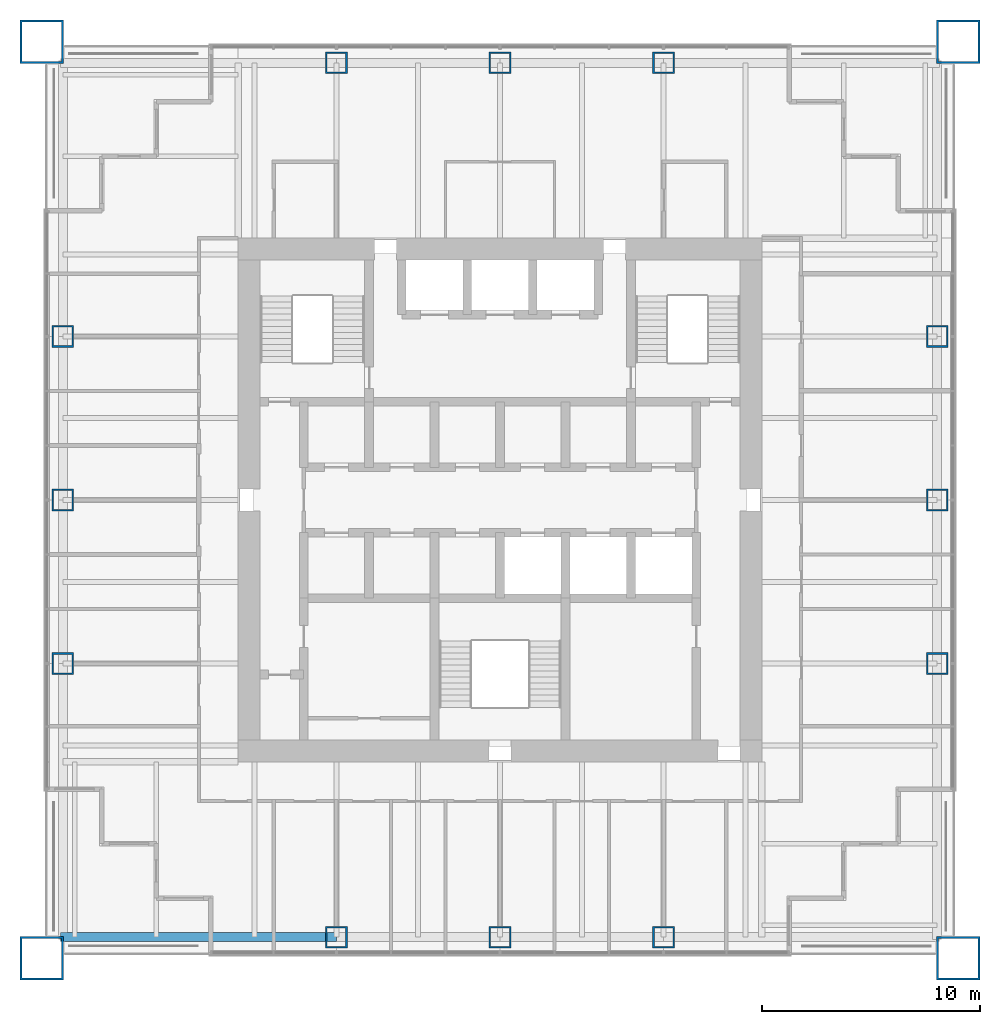
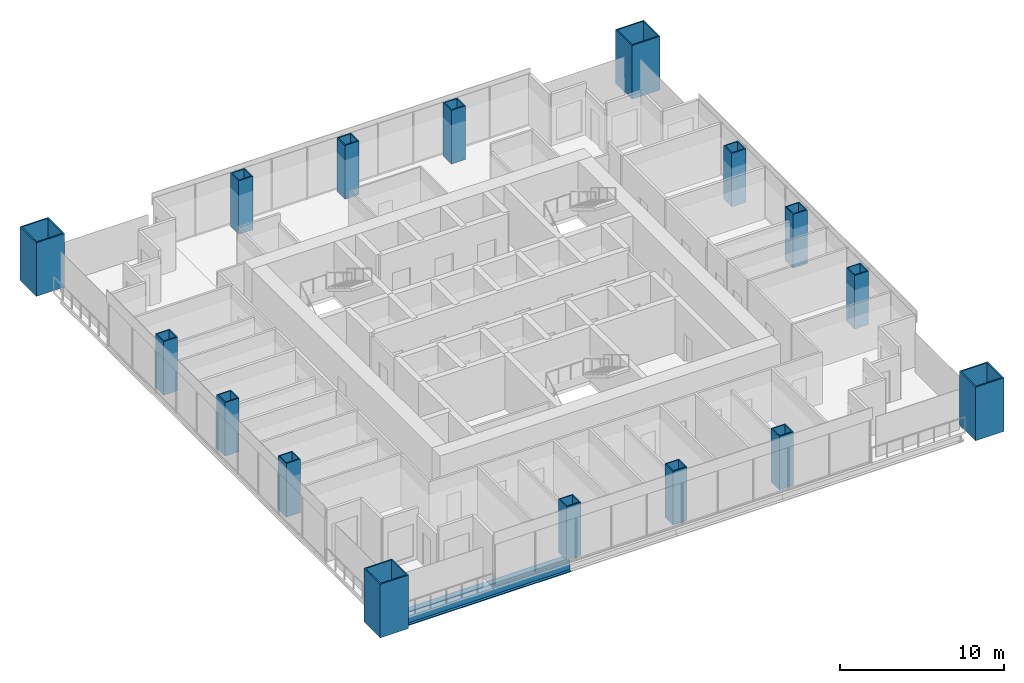
# One storey, part 1 of 15: 16 columns, 1 beam.
"""IFC4 building model written with IfcOpenShell, lengths in metres."""

from ifc_helpers import new_model, si_unit, direction, frame, origin, origin_2d, place, context, subcontext, project, spatial, hollow_rectangle, i_section, extrude, material, material_profile, profile_set, type_object, element, save


model = new_model("IFC4")

# Units and contexts
model_context = context("Model", 3, precision=1e-05, world=origin(), true_north=direction((0.0, 1.0)))
body_context = subcontext(model_context, "Body", "Model", "MODEL_VIEW")
ifc_project = project(units=[si_unit("LENGTHUNIT", "METRE"), si_unit("AREAUNIT", "SQUARE_METRE"), si_unit("VOLUMEUNIT", "CUBIC_METRE"), si_unit("PLANEANGLEUNIT", "RADIAN"), si_unit("MASSUNIT", "GRAM", prefix="KILO")], contexts=[model_context])

# Site, building, storey
site_placement = place(None, origin())
site = spatial("IfcSite", under=ifc_project, at=site_placement, CompositionType="ELEMENT")
building_placement = place(site_placement, origin())
building = spatial("IfcBuilding", under=site, at=building_placement, Name="Tarangal Relay Tower", CompositionType="ELEMENT")
storey_placement = place(building_placement, frame((0.0, 0.0, 299.89990234375)))
storey = spatial("IfcBuildingStorey", under=building, at=storey_placement, Name="L66", CompositionType="ELEMENT", Elevation=299.89990234375)

# Columns
ifc_material_1 = material(Name="Steel ASTM A572 Grade 50", Category="steel")
ifc_material_profile_1 = material_profile(ifc_material_1, hollow_rectangle(XDim=2.0, YDim=2.0, WallThickness=0.094970703125, at=origin_2d()), Name="BOX2000X2000X95")
ifc_profile_set_1 = profile_set([ifc_material_profile_1], Name="Steel ASTM A572 Grade 50")
column_type_1 = type_object("IfcColumnType", Name="Mega column BOX2000X2000X95", PredefinedType="COLUMN", material=ifc_profile_set_1)
for number, where, z_axis, x_axis, name in (
    (1, (21.0, 21.0, 0.0), (0.0, 0.0, 1.0), (1.0, 0.0, 0.0), "Mega column MC4 NE L66"),
    (2, (21.0, -21.0, 0.0), (0.0, 0.0, 1.0), (1.0, 0.0, 0.0), "Mega column MC4 SE L66"),
    (3, (-21.0, -21.0, 0.0), (0.0, 0.0, 1.0), (1.0, 0.0, 0.0), "Mega column MC4 SW L66"),
    (4, (-21.0, 21.0, 0.0), (0.0, 0.0, 1.0), (1.0, 0.0, 0.0), "Mega column MC4 NW L66"),
):
    element("IfcColumn", number, at=place(storey_placement, frame(where, z_axis=z_axis, x_axis=x_axis)), inside=storey, type_object=column_type_1, Name=name, PredefinedType="COLUMN", context=body_context, shape_type="SweptSolid", body=[
        extrude(hollow_rectangle(XDim=2.0, YDim=2.0, WallThickness=0.094970703125, at=origin_2d()), origin(), (0.0, 0.0, 1.0), 4.0),
    ])
ifc_material_profile_2 = material_profile(ifc_material_1, hollow_rectangle(XDim=1.0, YDim=1.0, WallThickness=0.074951171875, at=origin_2d()), Name="BOX1000X1000X75")
ifc_profile_set_2 = profile_set([ifc_material_profile_2], Name="Steel ASTM A572 Grade 50")
column_type_2 = type_object("IfcColumnType", Name="Perimeter column BOX1000X1000X75", PredefinedType="COLUMN", material=ifc_profile_set_2)
for number, where, z_axis, x_axis, name in (
    (5, (-7.5, 20.0400390625, 0.0), (0.0, 0.0, 1.0), (1.0, 0.0, 0.0), "Perimeter column PC5 N L66"),
    (6, (0.0, 20.0400390625, 0.0), (0.0, 0.0, 1.0), (1.0, 0.0, 0.0), "Perimeter column PC5 N L66"),
    (7, (7.5, 20.0400390625, 0.0), (0.0, 0.0, 1.0), (1.0, 0.0, 0.0), "Perimeter column PC5 N L66"),
    (8, (20.0400390625, 7.5, 0.0), (0.0, 0.0, 1.0), (1.0, 0.0, 0.0), "Perimeter column PC5 E L66"),
    (9, (20.0400390625, 0.0, 0.0), (0.0, 0.0, 1.0), (1.0, 0.0, 0.0), "Perimeter column PC5 E L66"),
    (10, (20.0400390625, -7.5, 0.0), (0.0, 0.0, 1.0), (1.0, 0.0, 0.0), "Perimeter column PC5 E L66"),
    (11, (7.5, -20.0400390625, 0.0), (0.0, 0.0, 1.0), (1.0, 0.0, 0.0), "Perimeter column PC5 S L66"),
    (12, (0.0, -20.0400390625, 0.0), (0.0, 0.0, 1.0), (1.0, 0.0, 0.0), "Perimeter column PC5 S L66"),
    (13, (-7.5, -20.0400390625, 0.0), (0.0, 0.0, 1.0), (1.0, 0.0, 0.0), "Perimeter column PC5 S L66"),
    (14, (-20.0400390625, -7.5, 0.0), (0.0, 0.0, 1.0), (1.0, 0.0, 0.0), "Perimeter column PC5 W L66"),
    (15, (-20.0400390625, 0.0, 0.0), (0.0, 0.0, 1.0), (1.0, 0.0, 0.0), "Perimeter column PC5 W L66"),
    (16, (-20.0400390625, 7.5, 0.0), (0.0, 0.0, 1.0), (1.0, 0.0, 0.0), "Perimeter column PC5 W L66"),
):
    element("IfcColumn", number, at=place(storey_placement, frame(where, z_axis=z_axis, x_axis=x_axis)), inside=storey, type_object=column_type_2, Name=name, PredefinedType="COLUMN", context=body_context, shape_type="SweptSolid", body=[
        extrude(hollow_rectangle(XDim=1.0, YDim=1.0, WallThickness=0.074951171875, at=origin_2d()), origin(), (0.0, 0.0, 1.0), 4.0),
    ])

# Beam
ifc_material_2 = material(Name="Steel ASTM A992", Category="steel")
ifc_material_profile_3 = material_profile(ifc_material_2, i_section(OverallWidth=0.41162109375, OverallDepth=1.049072265625, WebThickness=0.033935546875, FlangeThickness=0.059814453125, at=origin_2d()), Name="W40X431")
ifc_profile_set_3 = profile_set([ifc_material_profile_3], Name="Steel ASTM A992")
beam_type = type_object("IfcBeamType", Name="Edge girder W40X431", PredefinedType="SPANDREL", material=ifc_profile_set_3)
beam_placement = place(storey_placement, frame((-7.5, -20.0400390625, -0.67431640625), z_axis=(-1.0, 0.0, 0.0), x_axis=(0.0, -1.0, 0.0)))
element("IfcBeam", 17, at=beam_placement, inside=storey, type_object=beam_type, Name="Edge girder EG1 S L66", PredefinedType="SPANDREL", context=body_context, shape_type="SweptSolid", body=[
    extrude(i_section(OverallWidth=0.41162109375, OverallDepth=1.049072265625, WebThickness=0.033935546875, FlangeThickness=0.059814453125, at=origin_2d()), origin(), (0.0, 0.0, 1.0), 12.64990234375),
])

save(model, "model.ifc")
